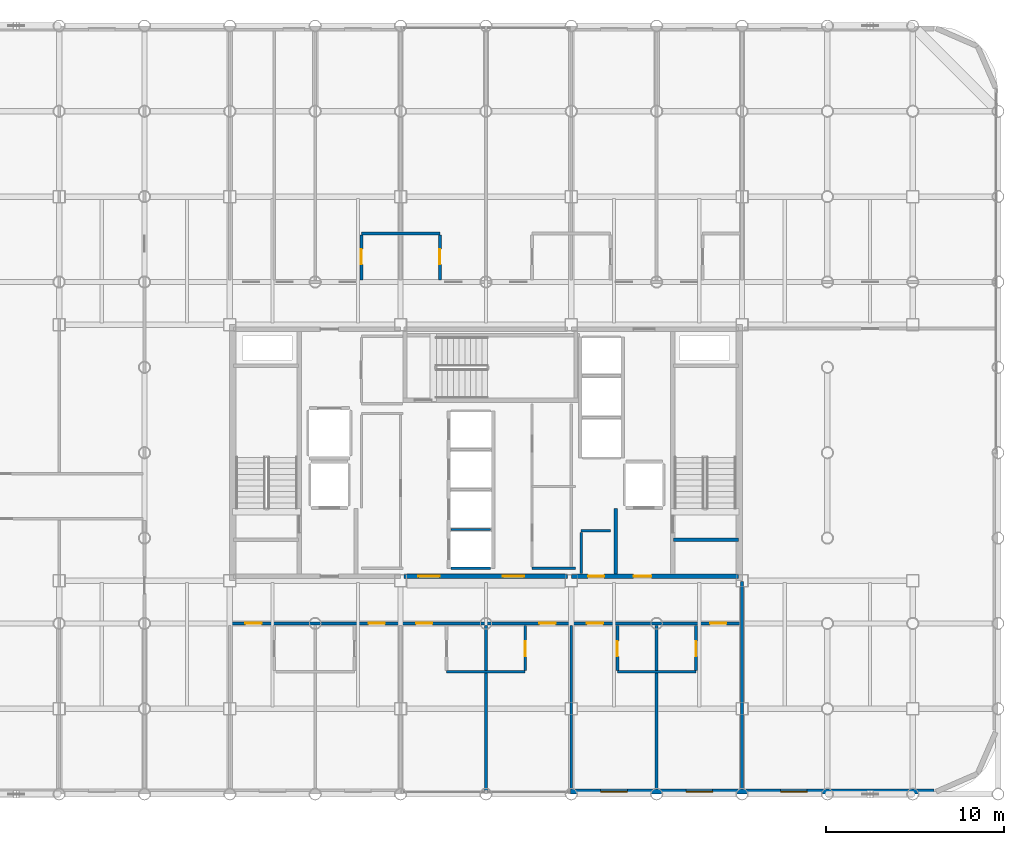
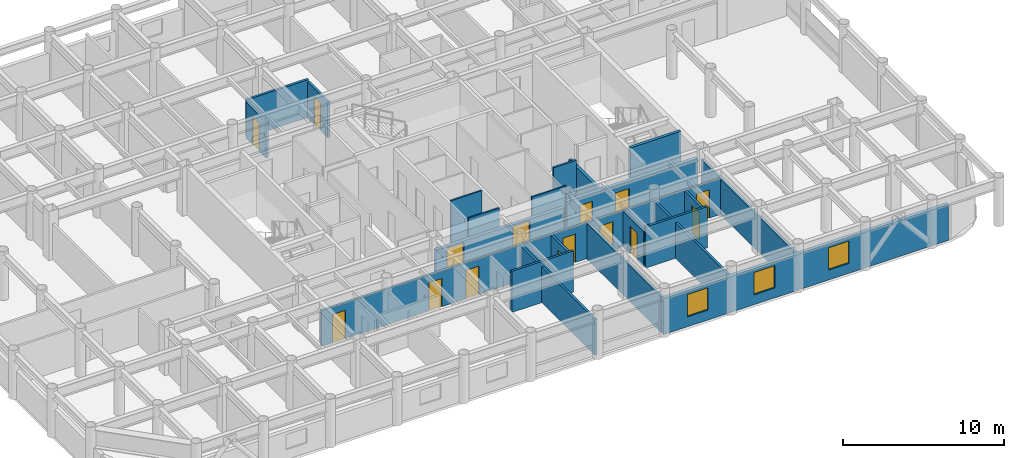
# One storey, part 17 of 20: 23 walls, 15 doors, 3 windows, 18 openings.
"""IFC4 building model written with IfcOpenShell, lengths in metres."""

from ifc_helpers import new_model, si_unit, direction, frame, frame_2d, origin, place, context, subcontext, project, spatial, rectangle, extrude, material, layer, layer_set, type_object, element, fill, save


model = new_model("IFC4")

# Units and contexts
model_context = context("Model", 3, precision=1e-05, world=origin(), true_north=direction((0.0, 1.0)))
body_context = subcontext(model_context, "Body", "Model", "MODEL_VIEW")
ifc_project = project(units=[si_unit("LENGTHUNIT", "METRE"), si_unit("AREAUNIT", "SQUARE_METRE"), si_unit("VOLUMEUNIT", "CUBIC_METRE"), si_unit("PLANEANGLEUNIT", "RADIAN"), si_unit("MASSUNIT", "GRAM", prefix="KILO")], contexts=[model_context])

# Site, building, storey
site_placement = place(None, origin())
site = spatial("IfcSite", under=ifc_project, at=site_placement, CompositionType="ELEMENT")
building_placement = place(site_placement, origin())
building = spatial("IfcBuilding", under=site, at=building_placement, Name="Kallvorn Hotel Tower", CompositionType="ELEMENT")
storey_placement = place(building_placement, frame((0.0, 0.0, 128.5)))
storey = spatial("IfcBuildingStorey", under=building, at=storey_placement, Name="L31", CompositionType="ELEMENT", Elevation=128.5)

# Walls
ifc_material_1 = material(Name="Fire-rated double-layer acoustic gypsum drywall EI 60")
ifc_layer_1 = layer(ifc_material_1, 0.159912109375)
ifc_layer_set_1 = layer_set([ifc_layer_1], Name="WL_DEMISE_160")
wall_type_1 = type_object("IfcWallType", Name="WL_DEMISE_160", PredefinedType="PARTITIONING", material=ifc_layer_set_1)
wall_1_placement = place(storey_placement, frame((-2.2099609375, -12.320068359375, 0.0), z_axis=(0.0, 0.0, 1.0), x_axis=(1.0, 0.0, 0.0)))
element("IfcWall", 1, at=wall_1_placement, inside=storey, type_object=wall_type_1, Name="L31 Suite 3103 Superior Twin Room Partition", PredefinedType="PARTITIONING", context=body_context, shape_type="SweptSolid", body=[
    extrude(rectangle(XDim=4.419921875, YDim=0.159912109375, at=frame_2d((2.2099609375, 0.0))), origin(), (0.0, 0.0, 1.0), 3.1201171875),
])
wall_2_placement = place(storey_placement, frame((7.389892578125, -12.320068359375, 0.0), z_axis=(0.0, 0.0, 1.0), x_axis=(1.0, 0.0, 0.0)))
element("IfcWall", 2, at=wall_2_placement, inside=storey, type_object=wall_type_1, Name="L31 Suite 3105 Superior Twin Room Partition", PredefinedType="PARTITIONING", context=body_context, shape_type="SweptSolid", body=[
    extrude(rectangle(XDim=4.420166015625, YDim=0.159912109375, at=frame_2d((2.2099609375, 0.0))), origin(), (0.0, 0.0, 1.0), 3.1201171875),
])

# Wall, openings, doors
wall_3_placement = place(storey_placement, frame((-14.320068359375, -9.60009765625, 0.0), z_axis=(0.0, 0.0, 1.0), x_axis=(1.0, 0.0, 0.0)))
wall_3 = element("IfcWall", 3, at=wall_3_placement, inside=storey, type_object=wall_type_1, Name="L31 Suite 3101 Superior Twin Room Partition", PredefinedType="PARTITIONING", context=body_context, shape_type="SweptSolid", body=[
    extrude(rectangle(XDim=28.64013671875, YDim=0.159912109375, at=frame_2d((14.320068359375, 0.0))), origin(), (0.0, 0.0, 1.0), 2.719970703125),
])
opening_1_placement = place(wall_3_placement, frame((0.794921875, 0.0, 0.0)))
opening_1 = element("IfcOpeningElement", 4, at=opening_1_placement, cuts=wall_3, Name="Opening GD1", PredefinedType="OPENING", context=body_context, shape_type="SweptSolid", body=[
    extrude(rectangle(XDim=0.919921875, YDim=2.14990234375, at=frame_2d((0.4599609375, 1.074951171875))), frame((0.0, 0.094970703125, 0.0), z_axis=(0.0, -1.0, 0.0), x_axis=(1.0, 0.0, 0.0)), (0.0, 0.0, 1.0), 0.18994140625),
])
opening_2_placement = place(wall_3_placement, frame((7.72509765625, 0.0, 0.0)))
opening_2 = element("IfcOpeningElement", 5, at=opening_2_placement, cuts=wall_3, Name="Opening GD1", PredefinedType="OPENING", context=body_context, shape_type="SweptSolid", body=[
    extrude(rectangle(XDim=0.919921875, YDim=2.14990234375, at=frame_2d((0.4599609375, 1.074951171875))), frame((0.0, 0.094970703125, 0.0), z_axis=(0.0, -1.0, 0.0), x_axis=(1.0, 0.0, 0.0)), (0.0, 0.0, 1.0), 0.18994140625),
])
opening_3_placement = place(wall_3_placement, frame((10.39501953125, 0.0, 0.0)))
opening_3 = element("IfcOpeningElement", 6, at=opening_3_placement, cuts=wall_3, Name="Opening GD1", PredefinedType="OPENING", context=body_context, shape_type="SweptSolid", body=[
    extrude(rectangle(XDim=0.919921875, YDim=2.14990234375, at=frame_2d((0.4599609375, 1.074951171875))), frame((0.0, 0.094970703125, 0.0), z_axis=(0.0, -1.0, 0.0), x_axis=(1.0, 0.0, 0.0)), (0.0, 0.0, 1.0), 0.18994140625),
])
opening_4_placement = place(wall_3_placement, frame((17.324951171875, 0.0, 0.0)))
opening_4 = element("IfcOpeningElement", 7, at=opening_4_placement, cuts=wall_3, Name="Opening GD1", PredefinedType="OPENING", context=body_context, shape_type="SweptSolid", body=[
    extrude(rectangle(XDim=0.919921875, YDim=2.14990234375, at=frame_2d((0.4599609375, 1.074951171875))), frame((0.0, 0.094970703125, 0.0), z_axis=(0.0, -1.0, 0.0), x_axis=(1.0, 0.0, 0.0)), (0.0, 0.0, 1.0), 0.18994140625),
])
opening_5_placement = place(wall_3_placement, frame((19.9951171875, 0.0, 0.0)))
opening_5 = element("IfcOpeningElement", 8, at=opening_5_placement, cuts=wall_3, Name="Opening GD1", PredefinedType="OPENING", context=body_context, shape_type="SweptSolid", body=[
    extrude(rectangle(XDim=0.919921875, YDim=2.14990234375, at=frame_2d((0.4599609375, 1.074951171875))), frame((0.0, 0.094970703125, 0.0), z_axis=(0.0, -1.0, 0.0), x_axis=(1.0, 0.0, 0.0)), (0.0, 0.0, 1.0), 0.18994140625),
])
opening_6_placement = place(wall_3_placement, frame((26.925048828125, 0.0, 0.0)))
opening_6 = element("IfcOpeningElement", 9, at=opening_6_placement, cuts=wall_3, Name="Opening GD1", PredefinedType="OPENING", context=body_context, shape_type="SweptSolid", body=[
    extrude(rectangle(XDim=0.919921875, YDim=2.14990234375, at=frame_2d((0.4599609375, 1.074951171875))), frame((0.0, 0.094970703125, 0.0), z_axis=(0.0, -1.0, 0.0), x_axis=(1.0, 0.0, 0.0)), (0.0, 0.0, 1.0), 0.18994140625),
])
ifc_material_2 = material(Name="Solid-core walnut veneer fire-rated timber door leaf", Category="wood")
door_type_1 = type_object("IfcDoorType", Name="DR_GUEST_920x2150", OperationType="NOTDEFINED", PredefinedType="DOOR", material=ifc_material_2)
door_1_placement = place(opening_1_placement, origin())
door_1 = element("IfcDoor", 10, at=door_1_placement, inside=storey, type_object=door_type_1, Name="L31 Suite 3101 Superior Twin Room Door", OperationType="SINGLE_SWING_RIGHT", OverallHeight=2.14990234375, OverallWidth=0.919921875, PredefinedType="DOOR", context=body_context, shape_type="SweptSolid", body=[
    extrude(rectangle(XDim=0.919921875, YDim=2.14990234375, at=frame_2d((0.4599609375, 1.074951171875))), frame((0.0, 0.02490234375, 0.0), z_axis=(0.0, -1.0, 0.0), x_axis=(1.0, 0.0, 0.0)), (0.0, 0.0, 1.0), 0.050048828125),
])
fill(opening_1, door_1)
door_2_placement = place(opening_2_placement, origin())
door_2 = element("IfcDoor", 11, at=door_2_placement, inside=storey, type_object=door_type_1, Name="L31 Suite 3102 Superior Twin Room Door", OperationType="SINGLE_SWING_RIGHT", OverallHeight=2.14990234375, OverallWidth=0.919921875, PredefinedType="DOOR", context=body_context, shape_type="SweptSolid", body=[
    extrude(rectangle(XDim=0.919921875, YDim=2.14990234375, at=frame_2d((0.4599609375, 1.074951171875))), frame((0.0, 0.02490234375, 0.0), z_axis=(0.0, -1.0, 0.0), x_axis=(1.0, 0.0, 0.0)), (0.0, 0.0, 1.0), 0.050048828125),
])
fill(opening_2, door_2)
door_3_placement = place(opening_3_placement, origin())
door_3 = element("IfcDoor", 12, at=door_3_placement, inside=storey, type_object=door_type_1, Name="L31 Suite 3103 Superior Twin Room Door", OperationType="SINGLE_SWING_RIGHT", OverallHeight=2.14990234375, OverallWidth=0.919921875, PredefinedType="DOOR", context=body_context, shape_type="SweptSolid", body=[
    extrude(rectangle(XDim=0.919921875, YDim=2.14990234375, at=frame_2d((0.4599609375, 1.074951171875))), frame((0.0, 0.02490234375, 0.0), z_axis=(0.0, -1.0, 0.0), x_axis=(1.0, 0.0, 0.0)), (0.0, 0.0, 1.0), 0.050048828125),
])
fill(opening_3, door_3)
door_4_placement = place(opening_4_placement, origin())
door_4 = element("IfcDoor", 13, at=door_4_placement, inside=storey, type_object=door_type_1, Name="L31 Suite 3104 Superior Twin Room Door", OperationType="SINGLE_SWING_LEFT", OverallHeight=2.14990234375, OverallWidth=0.919921875, PredefinedType="DOOR", context=body_context, shape_type="SweptSolid", body=[
    extrude(rectangle(XDim=0.919921875, YDim=2.14990234375, at=frame_2d((0.4599609375, 1.074951171875))), frame((0.0, 0.02490234375, 0.0), z_axis=(0.0, -1.0, 0.0), x_axis=(1.0, 0.0, 0.0)), (0.0, 0.0, 1.0), 0.050048828125),
])
fill(opening_4, door_4)
door_5_placement = place(opening_5_placement, origin())
door_5 = element("IfcDoor", 14, at=door_5_placement, inside=storey, type_object=door_type_1, Name="L31 Suite 3105 Superior Twin Room Door", OperationType="SINGLE_SWING_LEFT", OverallHeight=2.14990234375, OverallWidth=0.919921875, PredefinedType="DOOR", context=body_context, shape_type="SweptSolid", body=[
    extrude(rectangle(XDim=0.919921875, YDim=2.14990234375, at=frame_2d((0.4599609375, 1.074951171875))), frame((0.0, 0.02490234375, 0.0), z_axis=(0.0, -1.0, 0.0), x_axis=(1.0, 0.0, 0.0)), (0.0, 0.0, 1.0), 0.050048828125),
])
fill(opening_5, door_5)
door_6_placement = place(opening_6_placement, origin())
door_6 = element("IfcDoor", 15, at=door_6_placement, inside=storey, type_object=door_type_1, Name="L31 Suite 3106 Superior Twin Room Door", OperationType="SINGLE_SWING_RIGHT", OverallHeight=2.14990234375, OverallWidth=0.919921875, PredefinedType="DOOR", context=body_context, shape_type="SweptSolid", body=[
    extrude(rectangle(XDim=0.919921875, YDim=2.14990234375, at=frame_2d((0.4599609375, 1.074951171875))), frame((0.0, 0.02490234375, 0.0), z_axis=(0.0, -1.0, 0.0), x_axis=(1.0, 0.0, 0.0)), (0.0, 0.0, 1.0), 0.050048828125),
])
fill(opening_6, door_6)

# Wall
wall_4_placement = place(storey_placement, frame((-7.010009765625, 12.320068359375, 0.0), z_axis=(0.0, 0.0, 1.0), x_axis=(1.0, 0.0, 0.0)))
element("IfcWall", 16, at=wall_4_placement, inside=storey, type_object=wall_type_1, Name="L31 Suite 3107 Standard Twin Room Partition", PredefinedType="PARTITIONING", context=body_context, shape_type="SweptSolid", body=[
    extrude(rectangle(XDim=4.419921875, YDim=0.159912109375, at=frame_2d((2.2099609375, 0.0))), origin(), (0.0, 0.0, 1.0), 2.8701171875),
])

# Wall, opening, door
wall_5_placement = place(storey_placement, frame((-7.0048828125, 9.719970703125, 0.0), z_axis=(0.0, 0.0, 1.0), x_axis=(0.0, 1.0, 0.0)))
wall_5 = element("IfcWall", 17, at=wall_5_placement, inside=storey, type_object=wall_type_1, Name="L31 Suite 3107 Standard Twin Room Partition", PredefinedType="PARTITIONING", context=body_context, shape_type="SweptSolid", body=[
    extrude(rectangle(XDim=2.51513671875, YDim=0.159912109375, at=frame_2d((1.257568359375, 0.0))), origin(), (0.0, 0.0, 1.0), 2.719970703125),
])
opening_7_placement = place(wall_5_placement, frame((0.8701171875, 0.0, 0.0)))
opening_7 = element("IfcOpeningElement", 18, at=opening_7_placement, cuts=wall_5, Name="Opening BD-I", PredefinedType="OPENING", context=body_context, shape_type="SweptSolid", body=[
    extrude(rectangle(XDim=0.860107421875, YDim=2.10009765625, at=frame_2d((0.43017578125, 1.050048828125))), frame((0.0, 0.094970703125, 0.0), z_axis=(0.0, -1.0, 0.0), x_axis=(1.0, 0.0, 0.0)), (0.0, 0.0, 1.0), 0.18994140625),
])
ifc_material_3 = material(Name="Solid-core walnut veneer fire-rated timber door leaf", Category="wood")
door_type_2 = type_object("IfcDoorType", Name="DR_BATH_860x2100", OperationType="NOTDEFINED", PredefinedType="DOOR", material=ifc_material_3)
door_7_placement = place(opening_7_placement, origin())
door_7 = element("IfcDoor", 19, at=door_7_placement, inside=storey, type_object=door_type_2, Name="L31 Suite 3107 En-Suite Bathroom Door", OperationType="SINGLE_SWING_LEFT", OverallHeight=2.10009765625, OverallWidth=0.860107421875, PredefinedType="DOOR", context=body_context, shape_type="SweptSolid", body=[
    extrude(rectangle(XDim=0.860107421875, YDim=2.10009765625, at=frame_2d((0.43017578125, 1.050048828125))), frame((0.0, 0.02490234375, 0.0), z_axis=(0.0, -1.0, 0.0), x_axis=(1.0, 0.0, 0.0)), (0.0, 0.0, 1.0), 0.050048828125),
])
fill(opening_7, door_7)

wall_6_placement = place(storey_placement, frame((-2.590087890625, 9.719970703125, 0.0), z_axis=(0.0, 0.0, 1.0), x_axis=(0.0, 1.0, 0.0)))
wall_6 = element("IfcWall", 20, at=wall_6_placement, inside=storey, type_object=wall_type_1, Name="L31 Suite 3108 Standard Twin Room Partition", PredefinedType="PARTITIONING", context=body_context, shape_type="SweptSolid", body=[
    extrude(rectangle(XDim=2.51513671875, YDim=0.159912109375, at=frame_2d((1.257568359375, 0.0))), origin(), (0.0, 0.0, 1.0), 2.719970703125),
])
opening_8_placement = place(wall_6_placement, frame((0.8701171875, 0.0, 0.0)))
opening_8 = element("IfcOpeningElement", 21, at=opening_8_placement, cuts=wall_6, Name="Opening BD-I", PredefinedType="OPENING", context=body_context, shape_type="SweptSolid", body=[
    extrude(rectangle(XDim=0.860107421875, YDim=2.10009765625, at=frame_2d((0.43017578125, 1.050048828125))), frame((0.0, 0.094970703125, 0.0), z_axis=(0.0, -1.0, 0.0), x_axis=(1.0, 0.0, 0.0)), (0.0, 0.0, 1.0), 0.18994140625),
])
door_8_placement = place(opening_8_placement, origin())
door_8 = element("IfcDoor", 22, at=door_8_placement, inside=storey, type_object=door_type_2, Name="L31 Suite 3108 En-Suite Bathroom Door", OperationType="SINGLE_SWING_LEFT", OverallHeight=2.10009765625, OverallWidth=0.860107421875, PredefinedType="DOOR", context=body_context, shape_type="SweptSolid", body=[
    extrude(rectangle(XDim=0.860107421875, YDim=2.10009765625, at=frame_2d((0.43017578125, 1.050048828125))), frame((0.0, 0.02490234375, 0.0), z_axis=(0.0, -1.0, 0.0), x_axis=(1.0, 0.0, 0.0)), (0.0, 0.0, 1.0), 0.050048828125),
])
fill(opening_8, door_8)

# Wall
wall_7_placement = place(storey_placement, frame((0.0, -18.9951171875, 0.0), z_axis=(0.0, 0.0, 1.0), x_axis=(0.0, 1.0, 0.0)))
element("IfcWall", 23, at=wall_7_placement, inside=storey, type_object=wall_type_1, Name="L31 Suite 3103 Superior Twin Room Partition", PredefinedType="PARTITIONING", context=body_context, shape_type="SweptSolid", body=[
    extrude(rectangle(XDim=9.275146484375, YDim=0.159912109375, at=frame_2d((4.6376953125, 0.0))), origin(), (0.0, 0.0, 1.0), 2.719970703125),
])

# Wall, opening, door
wall_8_placement = place(storey_placement, frame((2.2099609375, -12.235107421875, 0.0), z_axis=(0.0, 0.0, 1.0), x_axis=(0.0, 1.0, 0.0)))
wall_8 = element("IfcWall", 24, at=wall_8_placement, inside=storey, type_object=wall_type_1, Name="L31 Suite 3104 Superior Twin Room Partition", PredefinedType="PARTITIONING", context=body_context, shape_type="SweptSolid", body=[
    extrude(rectangle(XDim=2.51513671875, YDim=0.159912109375, at=frame_2d((1.257568359375, 0.0))), origin(), (0.0, 0.0, 1.0), 2.719970703125),
])
opening_9_placement = place(wall_8_placement, frame((0.784912109375, 0.0, 0.0)))
opening_9 = element("IfcOpeningElement", 25, at=opening_9_placement, cuts=wall_8, Name="Opening BD-I", PredefinedType="OPENING", context=body_context, shape_type="SweptSolid", body=[
    extrude(rectangle(XDim=0.860107421875, YDim=2.10009765625, at=frame_2d((0.43017578125, 1.050048828125))), frame((0.0, 0.094970703125, 0.0), z_axis=(0.0, -1.0, 0.0), x_axis=(1.0, 0.0, 0.0)), (0.0, 0.0, 1.0), 0.18994140625),
])
door_9_placement = place(opening_9_placement, origin())
door_9 = element("IfcDoor", 26, at=door_9_placement, inside=storey, type_object=door_type_2, Name="L31 Suite 3104 En-Suite Bathroom Door", OperationType="SINGLE_SWING_RIGHT", OverallHeight=2.10009765625, OverallWidth=0.860107421875, PredefinedType="DOOR", context=body_context, shape_type="SweptSolid", body=[
    extrude(rectangle(XDim=0.860107421875, YDim=2.10009765625, at=frame_2d((0.43017578125, 1.050048828125))), frame((0.0, 0.02490234375, 0.0), z_axis=(0.0, -1.0, 0.0), x_axis=(1.0, 0.0, 0.0)), (0.0, 0.0, 1.0), 0.050048828125),
])
fill(opening_9, door_9)

# Wall
wall_9_placement = place(storey_placement, frame((4.800048828125, -18.909912109375, 0.0), z_axis=(0.0, 0.0, 1.0), x_axis=(0.0, 1.0, 0.0)))
element("IfcWall", 27, at=wall_9_placement, inside=storey, type_object=wall_type_1, Name="L31 Suite 3104 Superior Twin Room Partition", PredefinedType="PARTITIONING", context=body_context, shape_type="SweptSolid", body=[
    extrude(rectangle(XDim=9.18994140625, YDim=0.159912109375, at=frame_2d((4.594970703125, 0.0))), origin(), (0.0, 0.0, 1.0), 2.719970703125),
])

# Wall, opening, door
wall_10_placement = place(storey_placement, frame((7.389892578125, -12.235107421875, 0.0), z_axis=(0.0, 0.0, 1.0), x_axis=(0.0, 1.0, 0.0)))
wall_10 = element("IfcWall", 28, at=wall_10_placement, inside=storey, type_object=wall_type_1, Name="L31 Suite 3105 Superior Twin Room Partition", PredefinedType="PARTITIONING", context=body_context, shape_type="SweptSolid", body=[
    extrude(rectangle(XDim=2.51513671875, YDim=0.159912109375, at=frame_2d((1.257568359375, 0.0))), origin(), (0.0, 0.0, 1.0), 2.719970703125),
])
opening_10_placement = place(wall_10_placement, frame((0.784912109375, 0.0, 0.0)))
opening_10 = element("IfcOpeningElement", 29, at=opening_10_placement, cuts=wall_10, Name="Opening BD-I", PredefinedType="OPENING", context=body_context, shape_type="SweptSolid", body=[
    extrude(rectangle(XDim=0.860107421875, YDim=2.10009765625, at=frame_2d((0.43017578125, 1.050048828125))), frame((0.0, 0.094970703125, 0.0), z_axis=(0.0, -1.0, 0.0), x_axis=(1.0, 0.0, 0.0)), (0.0, 0.0, 1.0), 0.18994140625),
])
door_10_placement = place(opening_10_placement, origin())
door_10 = element("IfcDoor", 30, at=door_10_placement, inside=storey, type_object=door_type_2, Name="L31 Suite 3105 En-Suite Bathroom Door", OperationType="SINGLE_SWING_LEFT", OverallHeight=2.10009765625, OverallWidth=0.860107421875, PredefinedType="DOOR", context=body_context, shape_type="SweptSolid", body=[
    extrude(rectangle(XDim=0.860107421875, YDim=2.10009765625, at=frame_2d((0.43017578125, 1.050048828125))), frame((0.0, 0.02490234375, 0.0), z_axis=(0.0, -1.0, 0.0), x_axis=(1.0, 0.0, 0.0)), (0.0, 0.0, 1.0), 0.050048828125),
])
fill(opening_10, door_10)

# Wall
wall_11_placement = place(storey_placement, frame((9.60009765625, -18.909912109375, 0.0), z_axis=(0.0, 0.0, 1.0), x_axis=(0.0, 1.0, 0.0)))
element("IfcWall", 31, at=wall_11_placement, inside=storey, type_object=wall_type_1, Name="L31 Suite 3105 Superior Twin Room Partition", PredefinedType="PARTITIONING", context=body_context, shape_type="SweptSolid", body=[
    extrude(rectangle(XDim=9.18994140625, YDim=0.159912109375, at=frame_2d((4.594970703125, 0.0))), origin(), (0.0, 0.0, 1.0), 2.719970703125),
])

# Wall, opening, door
wall_12_placement = place(storey_placement, frame((11.81005859375, -12.235107421875, 0.0), z_axis=(0.0, 0.0, 1.0), x_axis=(0.0, 1.0, 0.0)))
wall_12 = element("IfcWall", 32, at=wall_12_placement, inside=storey, type_object=wall_type_1, Name="L31 Suite 3106 Superior Twin Room Partition", PredefinedType="PARTITIONING", context=body_context, shape_type="SweptSolid", body=[
    extrude(rectangle(XDim=2.51513671875, YDim=0.159912109375, at=frame_2d((1.257568359375, 0.0))), origin(), (0.0, 0.0, 1.0), 2.719970703125),
])
opening_11_placement = place(wall_12_placement, frame((0.784912109375, 0.0, 0.0)))
opening_11 = element("IfcOpeningElement", 33, at=opening_11_placement, cuts=wall_12, Name="Opening BD-I", PredefinedType="OPENING", context=body_context, shape_type="SweptSolid", body=[
    extrude(rectangle(XDim=0.860107421875, YDim=2.10009765625, at=frame_2d((0.43017578125, 1.050048828125))), frame((0.0, 0.094970703125, 0.0), z_axis=(0.0, -1.0, 0.0), x_axis=(1.0, 0.0, 0.0)), (0.0, 0.0, 1.0), 0.18994140625),
])
door_11_placement = place(opening_11_placement, origin())
door_11 = element("IfcDoor", 34, at=door_11_placement, inside=storey, type_object=door_type_2, Name="L31 Suite 3106 En-Suite Bathroom Door", OperationType="SINGLE_SWING_LEFT", OverallHeight=2.10009765625, OverallWidth=0.860107421875, PredefinedType="DOOR", context=body_context, shape_type="SweptSolid", body=[
    extrude(rectangle(XDim=0.860107421875, YDim=2.10009765625, at=frame_2d((0.43017578125, 1.050048828125))), frame((0.0, 0.02490234375, 0.0), z_axis=(0.0, -1.0, 0.0), x_axis=(1.0, 0.0, 0.0)), (0.0, 0.0, 1.0), 0.050048828125),
])
fill(opening_11, door_11)

# Wall
wall_13_placement = place(storey_placement, frame((14.39990234375, -18.909912109375, 0.0), z_axis=(0.0, 0.0, 1.0), x_axis=(0.0, 1.0, 0.0)))
element("IfcWall", 35, at=wall_13_placement, inside=storey, type_object=wall_type_1, Name="L31 Suite 3106 Superior Twin Room Partition", PredefinedType="PARTITIONING", context=body_context, shape_type="SweptSolid", body=[
    extrude(rectangle(XDim=11.669921875, YDim=0.159912109375, at=frame_2d((5.8349609375, 0.0))), origin(), (0.0, 0.0, 1.0), 2.719970703125),
])

# Wall, openings, windows
ifc_material_4 = material(Name="Precast basalt-clad insulated concrete wall C40/50", Category="masonry")
ifc_layer_2 = layer(ifc_material_4, 0.280029296875)
ifc_layer_set_2 = layer_set([ifc_layer_2], Name="WL_EXT_LOGGIA_280")
wall_type_2 = type_object("IfcWallType", Name="WL_EXT_LOGGIA_280", PredefinedType="SOLIDWALL", material=ifc_layer_set_2)
wall_14_placement = place(storey_placement, frame((4.75, -19.06005859375, 0.0), z_axis=(0.0, 0.0, 1.0), x_axis=(1.0, 0.0, 0.0)))
wall_14 = element("IfcWall", 36, at=wall_14_placement, inside=storey, type_object=wall_type_2, Name="L31 Exterior Envelope Wall EW-L31-SE", PredefinedType="SOLIDWALL", context=body_context, shape_type="SweptSolid", body=[
    extrude(rectangle(XDim=20.449951171875, YDim=0.280029296875, at=frame_2d((10.22509765625, 0.0))), origin(), (0.0, 0.0, 1.0), 2.719970703125),
])
opening_12_placement = place(wall_14_placement, frame((11.81689453125, 0.0, 0.75)))
opening_12 = element("IfcOpeningElement", 37, at=opening_12_placement, cuts=wall_14, Name="Opening W05", PredefinedType="OPENING", context=body_context, shape_type="SweptSolid", body=[
    extrude(rectangle(XDim=1.5, YDim=1.699951171875, at=frame_2d((0.75, 0.85009765625))), frame((0.0, 0.155029296875, 0.0), z_axis=(0.0, -1.0, 0.0), x_axis=(1.0, 0.0, 0.0)), (0.0, 0.0, 1.0), 0.31005859375),
])
opening_13_placement = place(wall_14_placement, frame((1.699951171875, 0.0, 0.75)))
opening_13 = element("IfcOpeningElement", 38, at=opening_13_placement, cuts=wall_14, Name="Opening W05", PredefinedType="OPENING", context=body_context, shape_type="SweptSolid", body=[
    extrude(rectangle(XDim=1.5, YDim=1.699951171875, at=frame_2d((0.75, 0.85009765625))), frame((0.0, 0.155029296875, 0.0), z_axis=(0.0, -1.0, 0.0), x_axis=(1.0, 0.0, 0.0)), (0.0, 0.0, 1.0), 0.31005859375),
])
opening_14_placement = place(wall_14_placement, frame((6.5, 0.0, 0.75)))
opening_14 = element("IfcOpeningElement", 39, at=opening_14_placement, cuts=wall_14, Name="Opening W05", PredefinedType="OPENING", context=body_context, shape_type="SweptSolid", body=[
    extrude(rectangle(XDim=1.5, YDim=1.699951171875, at=frame_2d((0.75, 0.85009765625))), frame((0.0, 0.155029296875, 0.0), z_axis=(0.0, -1.0, 0.0), x_axis=(1.0, 0.0, 0.0)), (0.0, 0.0, 1.0), 0.31005859375),
])
ifc_material_5 = material(Name="Double-glazed low-e solar-control dark glass", Category="glass")
window_type = type_object("IfcWindowType", Name="WN_HTL_1500x1700", PartitioningType="SINGLE_PANEL", PredefinedType="WINDOW", material=ifc_material_5)
window_1_placement = place(opening_12_placement, origin())
window_1 = element("IfcWindow", 40, at=window_1_placement, inside=storey, type_object=window_type, Name="L31 Guestroom Exterior Window 04", OverallHeight=1.699951171875, OverallWidth=1.5, PartitioningType="SINGLE_PANEL", PredefinedType="WINDOW", context=body_context, shape_type="SweptSolid", body=[
    extrude(rectangle(XDim=1.5, YDim=1.699951171875, at=frame_2d((0.75, 0.85009765625))), frame((0.0, 0.030029296875, 0.0), z_axis=(0.0, -1.0, 0.0), x_axis=(1.0, 0.0, 0.0)), (0.0, 0.0, 1.0), 0.06005859375),
])
fill(opening_12, window_1)
window_2_placement = place(opening_13_placement, origin())
window_2 = element("IfcWindow", 41, at=window_2_placement, inside=storey, type_object=window_type, Name="L31 Guestroom Exterior Window 07", OverallHeight=1.699951171875, OverallWidth=1.5, PartitioningType="SINGLE_PANEL", PredefinedType="WINDOW", context=body_context, shape_type="SweptSolid", body=[
    extrude(rectangle(XDim=1.5, YDim=1.699951171875, at=frame_2d((0.75, 0.85009765625))), frame((0.0, 0.030029296875, 0.0), z_axis=(0.0, -1.0, 0.0), x_axis=(1.0, 0.0, 0.0)), (0.0, 0.0, 1.0), 0.06005859375),
])
fill(opening_13, window_2)
window_3_placement = place(opening_14_placement, origin())
window_3 = element("IfcWindow", 42, at=window_3_placement, inside=storey, type_object=window_type, Name="L31 Guestroom Exterior Window 08", OverallHeight=1.699951171875, OverallWidth=1.5, PartitioningType="SINGLE_PANEL", PredefinedType="WINDOW", context=body_context, shape_type="SweptSolid", body=[
    extrude(rectangle(XDim=1.5, YDim=1.699951171875, at=frame_2d((0.75, 0.85009765625))), frame((0.0, 0.030029296875, 0.0), z_axis=(0.0, -1.0, 0.0), x_axis=(1.0, 0.0, 0.0)), (0.0, 0.0, 1.0), 0.06005859375),
])
fill(opening_14, window_3)

# Walls
ifc_material_6 = material(Name="Concrete C40/50", Category="concrete")
ifc_layer_3 = layer(ifc_material_6, 0.219970703125)
ifc_layer_set_3 = layer_set([ifc_layer_3], Name="WL_FFL_220")
wall_type_3 = type_object("IfcWallType", Name="WL_FFL_220", PredefinedType="SOLIDWALL", material=ifc_layer_set_3)
wall_15_placement = place(storey_placement, frame((7.300048828125, -6.820068359375, 0.0), z_axis=(0.0, 0.0, 1.0), x_axis=(0.0, 1.0, 0.0)))
element("IfcWall", 43, at=wall_15_placement, inside=storey, type_object=wall_type_3, Name="L31 Firefighting Lobby East Divider Wall", PredefinedType="SOLIDWALL", context=body_context, shape_type="SweptSolid", body=[
    extrude(rectangle(XDim=3.670166015625, YDim=0.219970703125, at=frame_2d((1.8349609375, 0.0))), origin(), (0.0, 0.0, 1.0), 2.719970703125),
])
ifc_material_7 = material(Name="Concrete C40/50", Category="concrete")
ifc_layer_4 = layer(ifc_material_7, 0.199951171875)
ifc_layer_set_4 = layer_set([ifc_layer_4], Name="WL_HOIST_200")
wall_type_4 = type_object("IfcWallType", Name="WL_HOIST_200", PredefinedType="SOLIDWALL", material=ifc_layer_set_4)
wall_16_placement = place(storey_placement, frame((10.550048828125, -4.89990234375, -0.179931640625), z_axis=(0.0, 0.0, 1.0), x_axis=(1.0, 0.0, 0.0)))
element("IfcWall", 44, at=wall_16_placement, inside=storey, type_object=wall_type_4, Name="L31 Stair ST2 South Wall", PredefinedType="SOLIDWALL", context=body_context, shape_type="SweptSolid", body=[
    extrude(rectangle(XDim=3.64990234375, YDim=0.199951171875, at=frame_2d((1.824951171875, 0.0))), origin(), (0.0, 0.0, 1.0), 3.699951171875),
])
ifc_material_8 = material(Name="Fire-rated double-layer acoustic gypsum drywall EI 60")
ifc_layer_5 = layer(ifc_material_8, 0.1201171875)
ifc_layer_set_5 = layer_set([ifc_layer_5], Name="WL_INT_120")
wall_type_5 = type_object("IfcWallType", Name="WL_INT_120", PredefinedType="PARTITIONING", material=ifc_layer_set_5)
for number, where, z_axis, x_axis, name in (
    (45, (-1.9599609375, -6.5, 0.0), (0.0, 0.0, 1.0), (1.0, 0.0, 0.0), "L31 Lift Bank B2 South Closure Wall"),
    (46, (-1.9599609375, -4.324951171875, 0.0), (0.0, 0.0, 1.0), (1.0, 0.0, 0.0), "L31 PL-05 Hoistway Divider"),
):
    element("IfcWall", number, at=place(storey_placement, frame(where, z_axis=z_axis, x_axis=x_axis)), inside=storey, type_object=wall_type_5, Name=name, PredefinedType="PARTITIONING", context=body_context, shape_type="SweptSolid", body=[
        extrude(rectangle(XDim=2.219970703125, YDim=0.1201171875, at=frame_2d((1.10986328125, 0.0))), origin(), (0.0, 0.0, 1.0), 3.52001953125),
    ])
wall_17_placement = place(storey_placement, frame((2.60009765625, -6.5, 0.0), z_axis=(0.0, 0.0, 1.0), x_axis=(1.0, 0.0, 0.0)))
element("IfcWall", 47, at=wall_17_placement, inside=storey, type_object=wall_type_5, Name="L31 East Core Amenities and Minibar Store Partition", PredefinedType="PARTITIONING", context=body_context, shape_type="SweptSolid", body=[
    extrude(rectangle(XDim=2.449951171875, YDim=0.1201171875, at=frame_2d((1.22509765625, 0.0))), origin(), (0.0, 0.0, 1.0), 3.52001953125),
])
ifc_material_9 = material(Name="Moisture-resistant acoustic plumbing chase wall EI 60")
ifc_layer_6 = layer(ifc_material_9, 0.139892578125)
ifc_layer_set_6 = layer_set([ifc_layer_6], Name="WL_PLUMB_140")
wall_type_6 = type_object("IfcWallType", Name="WL_PLUMB_140", PredefinedType="PLUMBINGWALL", material=ifc_layer_set_6)
wall_18_placement = place(storey_placement, frame((5.35009765625, -4.39990234375, 0.0), z_axis=(0.0, 0.0, 1.0), x_axis=(1.0, 0.0, 0.0)))
element("IfcWall", 48, at=wall_18_placement, inside=storey, type_object=wall_type_6, Name="L31 Core Staff Restroom WC Partition", PredefinedType="PLUMBINGWALL", context=body_context, shape_type="SweptSolid", body=[
    extrude(rectangle(XDim=1.64990234375, YDim=0.139892578125, at=frame_2d((0.824951171875, 0.0))), origin(), (0.0, 0.0, 1.0), 3.52001953125),
])
wall_19_placement = place(storey_placement, frame((5.35009765625, -6.800048828125, 0.0), z_axis=(0.0, 0.0, 1.0), x_axis=(0.0, 1.0, 0.0)))
element("IfcWall", 49, at=wall_19_placement, inside=storey, type_object=wall_type_6, Name="L31 Core Staff Restroom WC Partition", PredefinedType="PLUMBINGWALL", context=body_context, shape_type="SweptSolid", body=[
    extrude(rectangle(XDim=2.31494140625, YDim=0.139892578125, at=frame_2d((1.157470703125, 0.0))), origin(), (0.0, 0.0, 1.0), 2.719970703125),
])

# Wall, openings, doors
ifc_material_10 = material(Name="Concrete C40/50", Category="concrete")
ifc_layer_7 = layer(ifc_material_10, 0.25)
ifc_layer_set_7 = layer_set([ifc_layer_7], Name="WL_SHAFT_250")
wall_type_7 = type_object("IfcWallType", Name="WL_SHAFT_250", PredefinedType="SOLIDWALL", material=ifc_layer_set_7)
wall_20_placement = place(storey_placement, frame((-4.60009765625, -6.949951171875, 0.0), z_axis=(0.0, 0.0, 1.0), x_axis=(1.0, 0.0, 0.0)))
wall_20 = element("IfcWall", 50, at=wall_20_placement, inside=storey, type_object=wall_type_7, Name="L31 Core South-Central Wall", PredefinedType="SOLIDWALL", context=body_context, shape_type="SweptSolid", body=[
    extrude(rectangle(XDim=9.2001953125, YDim=0.25, at=frame_2d((4.60009765625, 0.0))), origin(), (0.0, 0.0, 1.0), 2.320068359375),
])
opening_15_placement = place(wall_20_placement, frame((0.800048828125, 0.0, 0.0)))
opening_15 = element("IfcOpeningElement", 51, at=opening_15_placement, cuts=wall_20, Name="Opening FD2", PredefinedType="OPENING", context=body_context, shape_type="SweptSolid", body=[
    extrude(rectangle(XDim=1.199951171875, YDim=2.199951171875, at=frame_2d((0.60009765625, 1.10009765625))), frame((0.0, 0.139892578125, 0.0), z_axis=(0.0, -1.0, 0.0), x_axis=(1.0, 0.0, 0.0)), (0.0, 0.0, 1.0), 0.280029296875),
])
opening_16_placement = place(wall_20_placement, frame((5.550048828125, 0.0, 0.0)))
opening_16 = element("IfcOpeningElement", 52, at=opening_16_placement, cuts=wall_20, Name="Opening FD2", PredefinedType="OPENING", context=body_context, shape_type="SweptSolid", body=[
    extrude(rectangle(XDim=1.199951171875, YDim=2.199951171875, at=frame_2d((0.60009765625, 1.10009765625))), frame((0.0, 0.139892578125, 0.0), z_axis=(0.0, -1.0, 0.0), x_axis=(1.0, 0.0, 0.0)), (0.0, 0.0, 1.0), 0.280029296875),
])
ifc_material_11 = material(Name="Galvanised painted steel fire-rated door assembly", Category="steel")
door_type_3 = type_object("IfcDoorType", Name="DR_LOBBY_1200x2200", OperationType="DOUBLE_DOOR_SINGLE_SWING", PredefinedType="DOOR", material=ifc_material_11)
door_12_placement = place(opening_15_placement, origin())
door_12 = element("IfcDoor", 53, at=door_12_placement, inside=storey, type_object=door_type_3, Name="L31 West Passenger Lift Lobby Door", OperationType="DOUBLE_DOOR_SINGLE_SWING", OverallHeight=2.199951171875, OverallWidth=1.199951171875, PredefinedType="DOOR", context=body_context, shape_type="SweptSolid", body=[
    extrude(rectangle(XDim=1.199951171875, YDim=2.199951171875, at=frame_2d((0.60009765625, 1.10009765625))), frame((0.0, 0.02490234375, 0.0), z_axis=(0.0, -1.0, 0.0), x_axis=(1.0, 0.0, 0.0)), (0.0, 0.0, 1.0), 0.050048828125),
])
fill(opening_15, door_12)
door_13_placement = place(opening_16_placement, origin())
door_13 = element("IfcDoor", 54, at=door_13_placement, inside=storey, type_object=door_type_3, Name="L31 East Passenger Lift Lobby Door", OperationType="DOUBLE_DOOR_SINGLE_SWING", OverallHeight=2.199951171875, OverallWidth=1.199951171875, PredefinedType="DOOR", context=body_context, shape_type="SweptSolid", body=[
    extrude(rectangle(XDim=1.199951171875, YDim=2.199951171875, at=frame_2d((0.60009765625, 1.10009765625))), frame((0.0, 0.02490234375, 0.0), z_axis=(0.0, -1.0, 0.0), x_axis=(1.0, 0.0, 0.0)), (0.0, 0.0, 1.0), 0.050048828125),
])
fill(opening_16, door_13)

wall_21_placement = place(storey_placement, frame((4.800048828125, -6.949951171875, 0.0), z_axis=(0.0, 0.0, 1.0), x_axis=(1.0, 0.0, 0.0)))
wall_21 = element("IfcWall", 55, at=wall_21_placement, inside=storey, type_object=wall_type_7, Name="L31 Core South-East Wall", PredefinedType="SOLIDWALL", context=body_context, shape_type="SweptSolid", body=[
    extrude(rectangle(XDim=9.39990234375, YDim=0.25, at=frame_2d((4.699951171875, 0.0))), origin(), (0.0, 0.0, 1.0), 2.719970703125),
])
opening_17_placement = place(wall_21_placement, frame((3.5, 0.0, 0.0)))
opening_17 = element("IfcOpeningElement", 56, at=opening_17_placement, cuts=wall_21, Name="Opening FD1", PredefinedType="OPENING", context=body_context, shape_type="SweptSolid", body=[
    extrude(rectangle(XDim=1.0, YDim=2.14990234375, at=frame_2d((0.5, 1.074951171875))), frame((0.0, 0.139892578125, 0.0), z_axis=(0.0, -1.0, 0.0), x_axis=(1.0, 0.0, 0.0)), (0.0, 0.0, 1.0), 0.280029296875),
])
opening_18_placement = place(wall_21_placement, frame((0.949951171875, 0.0, 0.0)))
opening_18 = element("IfcOpeningElement", 57, at=opening_18_placement, cuts=wall_21, Name="Opening SVD1", PredefinedType="OPENING", context=body_context, shape_type="SweptSolid", body=[
    extrude(rectangle(XDim=0.89990234375, YDim=2.10009765625, at=frame_2d((0.449951171875, 1.050048828125))), frame((0.0, 0.139892578125, 0.0), z_axis=(0.0, -1.0, 0.0), x_axis=(1.0, 0.0, 0.0)), (0.0, 0.0, 1.0), 0.280029296875),
])
ifc_material_12 = material(Name="Galvanised painted steel fire-rated door assembly", Category="steel")
door_type_4 = type_object("IfcDoorType", Name="DR_FFL_1000x2150", OperationType="NOTDEFINED", PredefinedType="DOOR", material=ifc_material_12)
door_14_placement = place(opening_17_placement, origin())
door_14 = element("IfcDoor", 58, at=door_14_placement, inside=storey, type_object=door_type_4, Name="L31 Firefighting Lobby East Door", OperationType="SINGLE_SWING_RIGHT", OverallHeight=2.14990234375, OverallWidth=1.0, PredefinedType="DOOR", context=body_context, shape_type="SweptSolid", body=[
    extrude(rectangle(XDim=1.0, YDim=2.14990234375, at=frame_2d((0.5, 1.074951171875))), frame((0.0, 0.02490234375, 0.0), z_axis=(0.0, -1.0, 0.0), x_axis=(1.0, 0.0, 0.0)), (0.0, 0.0, 1.0), 0.050048828125),
])
fill(opening_17, door_14)
ifc_material_13 = material(Name="Galvanised painted steel fire-rated door assembly", Category="steel")
door_type_5 = type_object("IfcDoorType", Name="DR_SERV_900x2100", OperationType="NOTDEFINED", PredefinedType="DOOR", material=ifc_material_13)
door_15_placement = place(opening_18_placement, origin())
door_15 = element("IfcDoor", 59, at=door_15_placement, inside=storey, type_object=door_type_5, Name="L31 Core Staff Restroom WC Door", OperationType="SINGLE_SWING_LEFT", OverallHeight=2.10009765625, OverallWidth=0.89990234375, PredefinedType="DOOR", context=body_context, shape_type="SweptSolid", body=[
    extrude(rectangle(XDim=0.89990234375, YDim=2.10009765625, at=frame_2d((0.449951171875, 1.050048828125))), frame((0.0, 0.02490234375, 0.0), z_axis=(0.0, -1.0, 0.0), x_axis=(1.0, 0.0, 0.0)), (0.0, 0.0, 1.0), 0.050048828125),
])
fill(opening_18, door_15)

save(model, "model.ifc")
